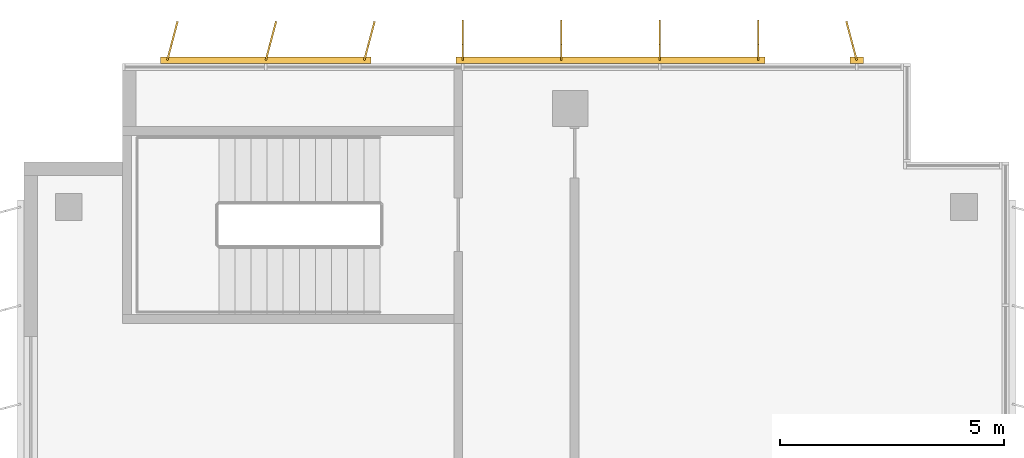
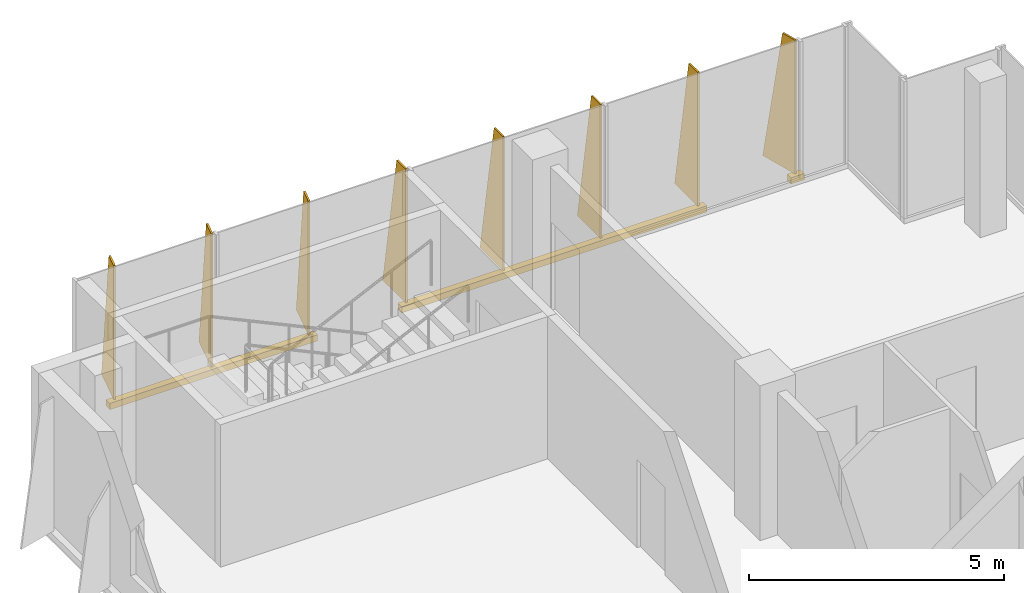
# One storey, part 16 of 16: 3 shading devices.
"""IFC4 building model written with IfcOpenShell, lengths in metres."""

from ifc_helpers import new_model, si_unit, direction, frame, origin, origin_2d, place, context, subcontext, project, spatial, polyline, rectangle, outline, extrude, source, transform, mapped, material, layer, layer_set, type_object, element, save


model = new_model("IFC4")

# Units and contexts
model_context = context("Model", 3, precision=1e-05, world=origin(), true_north=direction((0.0, 1.0)))
body_context = subcontext(model_context, "Body", "Model", "MODEL_VIEW")
ifc_project = project(units=[si_unit("LENGTHUNIT", "METRE"), si_unit("AREAUNIT", "SQUARE_METRE"), si_unit("VOLUMEUNIT", "CUBIC_METRE"), si_unit("PLANEANGLEUNIT", "RADIAN"), si_unit("MASSUNIT", "GRAM", prefix="KILO")], contexts=[model_context])

# Site, building, storey
site_placement = place(None, origin())
site = spatial("IfcSite", under=ifc_project, at=site_placement, CompositionType="ELEMENT")
building_placement = place(site_placement, origin())
building = spatial("IfcBuilding", under=site, at=building_placement, Name="Kemantara Hotel Tower", CompositionType="ELEMENT")
storey_placement = place(building_placement, frame((0.0, 0.0, 283.300048828125)))
storey = spatial("IfcBuildingStorey", under=building, at=storey_placement, Name="L71", CompositionType="ELEMENT", Elevation=283.300048828125)

# Shading devices
ifc_material = material(Name="Perforated aluminium plate 4 mm bronze anodised", Category="aluminium")
ifc_layer_1 = layer(ifc_material, 0.0400390625)
ifc_layer_set_1 = layer_set([ifc_layer_1], Name="Perforated aluminium plate 4 mm bronze anodised")
shading_device_type_1 = type_object("IfcShadingDeviceType", Name="SCREEN FIN CASSETTE, 3 BLADES AT -15.0 DEG, 3200 HIGH", PredefinedType="USERDEFINED", material=ifc_layer_set_1)
shared_shape_1 = source(origin(), body_context, "Body", "SweptSolid", [
    extrude(rectangle(XDim=4.699951171875, YDim=0.14990234375, at=origin_2d()), frame((2.199951171875, -0.074951171875, -0.14990234375), z_axis=(0.0, 0.0, 1.0), x_axis=(1.0, 0.0, 0.0)), (0.0, 0.0, 1.0), 0.14990234375),
    extrude(outline(polyline([(0.0, 0.0), (0.89990234375, 0.0), (0.35009765625, 3.199951171875), (0.0, 3.199951171875), (0.0, 0.0)])), frame((0.019287109375, -0.080078125, 0.0), z_axis=(-0.966437683387, 0.256901156343, 0.0), x_axis=(-0.256901156343, -0.966437683387, 0.0)), (0.0, 0.0, 1.0), 0.039794921875),
    extrude(outline(polyline([(0.0, 0.0), (0.89990234375, 0.0), (0.35009765625, 3.199951171875), (0.0, 3.199951171875), (0.0, 0.0)])), frame((2.21923828125, -0.080078125, 0.0), z_axis=(-0.966437683387, 0.256901156343, 0.0), x_axis=(-0.256901156343, -0.966437683387, 0.0)), (0.0, 0.0, 1.0), 0.039794921875),
    extrude(outline(polyline([(0.0, 0.0), (0.89990234375, 0.0), (0.35009765625, 3.199951171875), (0.0, 3.199951171875), (0.0, 0.0)])), frame((4.41943359375, -0.080078125, 0.0), z_axis=(-0.966837822169, 0.255391122837, 0.0), x_axis=(-0.255391122837, -0.966837822169, 0.0)), (0.0, 0.0, 1.0), 0.0400390625),
])
shading_device_1_placement = place(storey_placement, frame((7.60009765625, 63.60009765625, 0.099853515625), z_axis=(0.0, 0.0, 1.0), x_axis=(-1.0, 0.0, 0.0)))
element("IfcShadingDevice", 1, at=shading_device_1_placement, inside=storey, type_object=shading_device_type_1, Name="SCREEN FIN CASSETTE L71 T4-R02-3", ObjectType="SCREEN FIN", PredefinedType="USERDEFINED", context=body_context, shape_type="MappedRepresentation", body=[
    mapped(shared_shape_1, transform((0.0, 0.0, 0.0))),
])
ifc_layer_2 = layer(ifc_material, 0.0400390625)
ifc_layer_set_2 = layer_set([ifc_layer_2], Name="Perforated aluminium plate 4 mm bronze anodised")
shading_device_type_2 = type_object("IfcShadingDeviceType", Name="SCREEN FIN CASSETTE, 4 BLADES AT +0.0 DEG, 3200 HIGH", PredefinedType="USERDEFINED", material=ifc_layer_set_2)
shared_shape_2 = source(origin(), body_context, "Body", "SweptSolid", [
    extrude(rectangle(XDim=6.89990234375, YDim=0.14990234375, at=origin_2d()), frame((3.300048828125, -0.074951171875, -0.14990234375), z_axis=(0.0, 0.0, 1.0), x_axis=(1.0, 0.0, 0.0)), (0.0, 0.0, 1.0), 0.14990234375),
    extrude(outline(polyline([(0.0, 0.0), (0.89990234375, 0.0), (0.35009765625, 3.199951171875), (0.0, 3.199951171875), (0.0, 0.0)])), frame((0.02001953125, -0.074951171875, 0.0), z_axis=(-1.0, 0.0, 0.0), x_axis=(0.0, -1.0, 0.0)), (0.0, 0.0, 1.0), 0.0400390625),
    extrude(outline(polyline([(0.0, 0.0), (0.89990234375, 0.0), (0.35009765625, 3.199951171875), (0.0, 3.199951171875), (0.0, 0.0)])), frame((2.219970703125, -0.074951171875, 0.0), z_axis=(-1.0, 0.0, 0.0), x_axis=(0.0, -1.0, 0.0)), (0.0, 0.0, 1.0), 0.0400390625),
    extrude(outline(polyline([(0.0, 0.0), (0.89990234375, 0.0), (0.35009765625, 3.199951171875), (0.0, 3.199951171875), (0.0, 0.0)])), frame((4.419921875, -0.074951171875, 0.0), z_axis=(-1.0, 0.0, 0.0), x_axis=(0.0, -1.0, 0.0)), (0.0, 0.0, 1.0), 0.0400390625),
    extrude(outline(polyline([(0.0, 0.0), (0.89990234375, 0.0), (0.35009765625, 3.199951171875), (0.0, 3.199951171875), (0.0, 0.0)])), frame((6.6201171875, -0.074951171875, 0.0), z_axis=(-1.0, 0.0, 0.0), x_axis=(0.0, -1.0, 0.0)), (0.0, 0.0, 1.0), 0.0400390625),
])
shading_device_2_placement = place(storey_placement, frame((16.39990234375, 63.60009765625, 0.099853515625), z_axis=(0.0, 0.0, 1.0), x_axis=(-1.0, 0.0, 0.0)))
element("IfcShadingDevice", 2, at=shading_device_2_placement, inside=storey, type_object=shading_device_type_2, Name="SCREEN FIN CASSETTE L71 T4-R02-2", ObjectType="SCREEN FIN", PredefinedType="USERDEFINED", context=body_context, shape_type="MappedRepresentation", body=[
    mapped(shared_shape_2, transform((0.0, 0.0, 0.0))),
])
ifc_layer_3 = layer(ifc_material, 0.0400390625)
ifc_layer_set_3 = layer_set([ifc_layer_3], Name="Perforated aluminium plate 4 mm bronze anodised")
shading_device_type_3 = type_object("IfcShadingDeviceType", Name="SCREEN FIN CASSETTE, 1 BLADE AT +15.0 DEG, 3200 HIGH", PredefinedType="USERDEFINED", material=ifc_layer_set_3)
shared_shape_3 = source(origin(), body_context, "Body", "SweptSolid", [
    extrude(rectangle(XDim=0.300048828125, YDim=0.14990234375, at=origin_2d()), frame((0.0, -0.074951171875, -0.14990234375), z_axis=(0.0, 0.0, 1.0), x_axis=(1.0, 0.0, 0.0)), (0.0, 0.0, 1.0), 0.14990234375),
    extrude(outline(polyline([(0.0, 0.0), (0.89990234375, 0.0), (0.35009765625, 3.199951171875), (0.0, 3.199951171875), (0.0, 0.0)])), frame((0.019287109375, -0.06982421875, 0.0), z_axis=(-0.966437683387, -0.256901156343, 0.0), x_axis=(0.256901156343, -0.966437683387, 0.0)), (0.0, 0.0, 1.0), 0.039794921875),
])
shading_device_3_placement = place(storey_placement, frame((18.60009765625, 63.60009765625, 0.099853515625), z_axis=(0.0, 0.0, 1.0), x_axis=(-1.0, 0.0, 0.0)))
element("IfcShadingDevice", 3, at=shading_device_3_placement, inside=storey, type_object=shading_device_type_3, Name="SCREEN FIN CASSETTE L71 T4-R02-1", ObjectType="SCREEN FIN", PredefinedType="USERDEFINED", context=body_context, shape_type="MappedRepresentation", body=[
    mapped(shared_shape_3, transform((0.0, 0.0, 0.0))),
])

save(model, "model.ifc")
